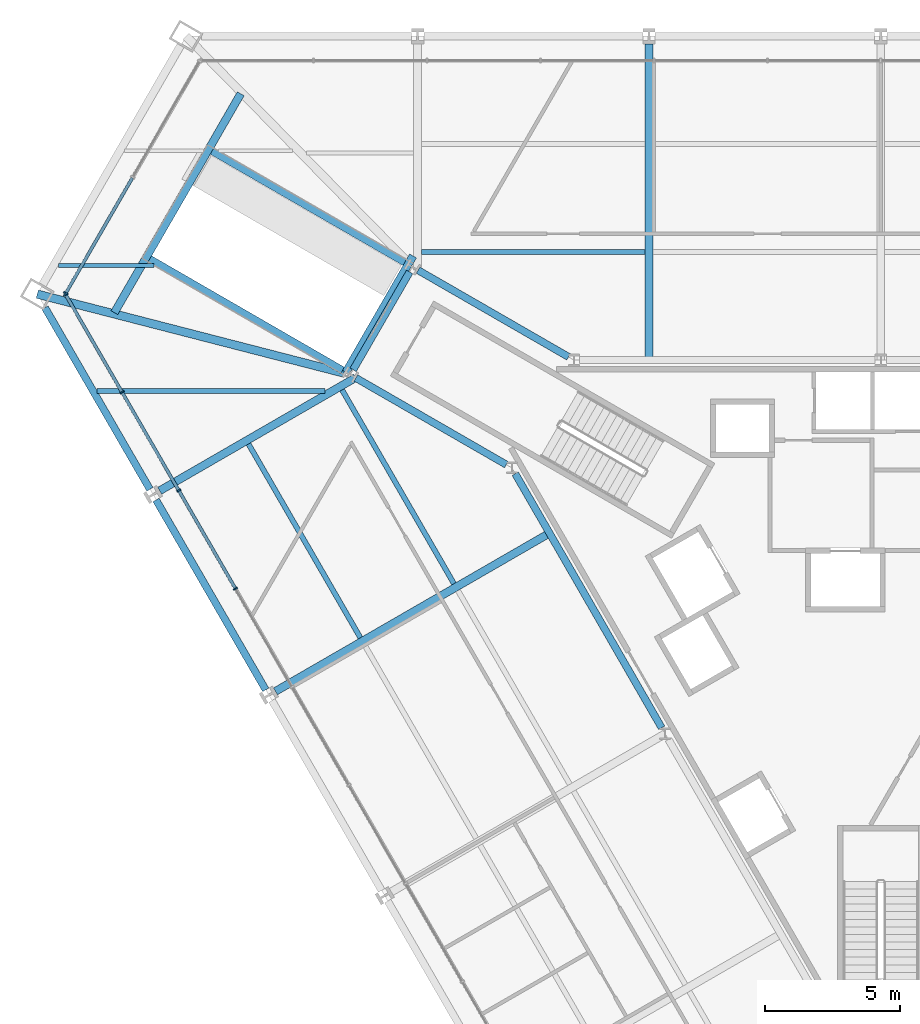
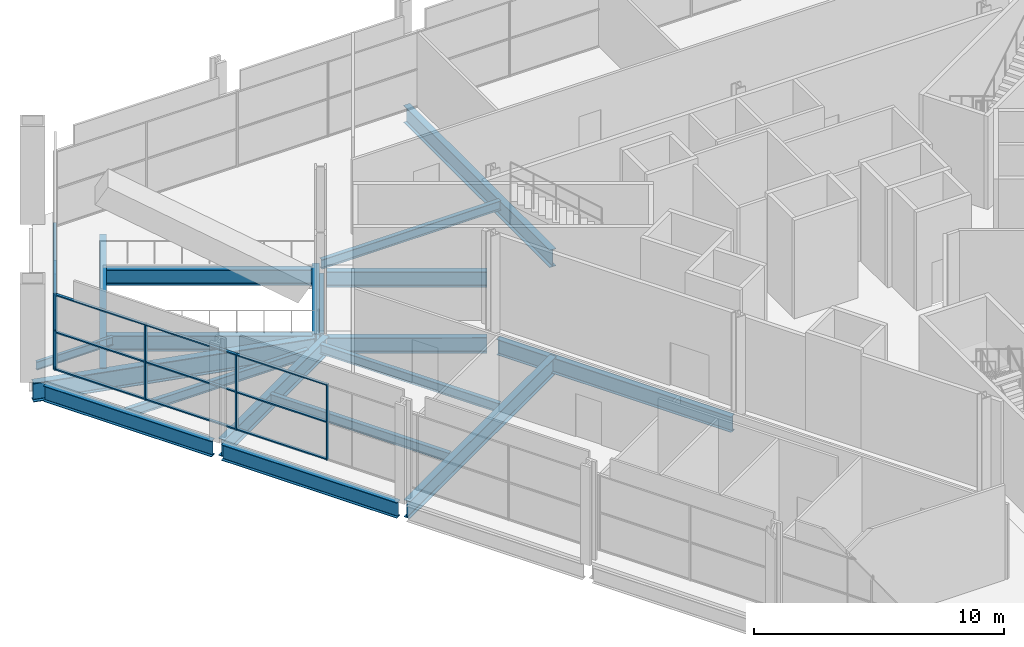
# One storey, part 6 of 18: 19 beams, 17 members, 2 elements without a shape of their own.
"""IFC4 building model written with IfcOpenShell, lengths in metres."""

from ifc_helpers import new_model, si_unit, direction, frame, origin, origin_2d, place, context, subcontext, project, spatial, rectangle, i_section, extrude, material, layer, layer_set, material_profile, profile_set, type_object, element, aggregate, save


model = new_model("IFC4")

# Units and contexts
model_context = context("Model", 3, precision=1e-05, world=origin(), true_north=direction((0.0, 1.0)))
body_context = subcontext(model_context, "Body", "Model", "MODEL_VIEW")
ifc_project = project(units=[si_unit("LENGTHUNIT", "METRE"), si_unit("AREAUNIT", "SQUARE_METRE"), si_unit("VOLUMEUNIT", "CUBIC_METRE"), si_unit("PLANEANGLEUNIT", "RADIAN"), si_unit("MASSUNIT", "GRAM", prefix="KILO")], contexts=[model_context])

# Site, building, storey
site_placement = place(None, origin())
site = spatial("IfcSite", under=ifc_project, at=site_placement, CompositionType="ELEMENT")
building_placement = place(site_placement, origin())
building = spatial("IfcBuilding", under=site, at=building_placement, Name="Verrane Prism Tower", CompositionType="ELEMENT")
storey_placement = place(building_placement, frame((0.0, 0.0, 22.39990234375)))
storey = spatial("IfcBuildingStorey", under=building, at=storey_placement, Name="L03", CompositionType="ELEMENT", Elevation=22.39990234375)

# Curtain wall, member
ifc_material_1 = material(Name="Aluminium and glass curtain wall", Category="aluminium")
ifc_layer = layer(ifc_material_1, 0.199951171875)
ifc_layer_set = layer_set([ifc_layer], Name="CWB-1 retail curtain wall")
curtain_wall_type = type_object("IfcCurtainWallType", Name="CWB-1 retail curtain wall", PredefinedType="NOTDEFINED", material=ifc_layer_set)
curtain_wall_1_placement = place(storey_placement, origin())
curtain_wall_1 = element("IfcCurtainWall", 1, at=curtain_wall_1_placement, inside=storey, type_object=curtain_wall_type, Name="Retail curtain wall L03 3", PredefinedType="NOTDEFINED")
ifc_material_2 = material(Name="Aluminium", Category="aluminium")
ifc_material_profile_1 = material_profile(ifc_material_2, rectangle(XDim=0.159912109375, YDim=0.06005859375, at=origin_2d()), Name="CWB-M 60x160 mullion")
ifc_profile_set_1 = profile_set([ifc_material_profile_1], Name="Aluminium")
member_type_1 = type_object("IfcMemberType", Name="CWB-M 60x160 mullion", PredefinedType="MULLION", material=ifc_profile_set_1)
member_1_placement = place(storey_placement, frame((-30.11328125, 11.669677734375, 0.0), z_axis=(0.0, 0.0, 1.0), x_axis=(0.866025871, -0.499999190758, 0.0)))
member_1 = element("IfcMember", 2, at=member_1_placement, type_object=member_type_1, Name="CWB33 mullion 3", PredefinedType="MULLION", context=body_context, shape_type="SweptSolid", body=[
    extrude(rectangle(XDim=0.159912109375, YDim=0.06005859375, at=origin_2d()), origin(), (0.0, 0.0, 1.0), 3.690185546875),
])

# Curtain wall, members
curtain_wall_2_placement = place(storey_placement, origin())
curtain_wall_2 = element("IfcCurtainWall", 3, at=curtain_wall_2_placement, inside=storey, type_object=curtain_wall_type, Name="Retail curtain wall L03 4", PredefinedType="NOTDEFINED")
member_2_placement = place(storey_placement, frame((-30.11328125, 11.61767578125, 0.0), z_axis=(0.0, 0.0, 1.0), x_axis=(0.866025335097, 0.50000011897, 0.0)))
member_2 = element("IfcMember", 4, at=member_2_placement, type_object=member_type_1, Name="CWB34 mullion 1", PredefinedType="MULLION", context=body_context, shape_type="SweptSolid", body=[
    extrude(rectangle(XDim=0.159912109375, YDim=0.06005859375, at=origin_2d()), origin(), (0.0, 0.0, 1.0), 3.690185546875),
])
member_3_placement = place(storey_placement, frame((-28.03271484375, 8.013916015625, 0.0), z_axis=(0.0, 0.0, 1.0), x_axis=(0.866025335097, 0.50000011897, 0.0)))
member_3 = element("IfcMember", 5, at=member_3_placement, type_object=member_type_1, Name="CWB34 mullion 2", PredefinedType="MULLION", context=body_context, shape_type="SweptSolid", body=[
    extrude(rectangle(XDim=0.159912109375, YDim=0.06005859375, at=origin_2d()), origin(), (0.0, 0.0, 1.0), 3.690185546875),
])
member_4_placement = place(storey_placement, frame((-25.93701171875, 4.384033203125, 0.0), z_axis=(0.0, 0.0, 1.0), x_axis=(0.866025335097, 0.50000011897, 0.0)))
member_4 = element("IfcMember", 6, at=member_4_placement, type_object=member_type_1, Name="CWB34 mullion 3", PredefinedType="MULLION", context=body_context, shape_type="SweptSolid", body=[
    extrude(rectangle(XDim=0.159912109375, YDim=0.06005859375, at=origin_2d()), origin(), (0.0, 0.0, 1.0), 3.690185546875),
])
member_5_placement = place(storey_placement, frame((-23.84130859375, 0.75439453125, 0.0), z_axis=(0.0, 0.0, 1.0), x_axis=(0.866025335097, 0.50000011897, 0.0)))
member_5 = element("IfcMember", 7, at=member_5_placement, type_object=member_type_1, Name="CWB34 mullion 4", PredefinedType="MULLION", context=body_context, shape_type="SweptSolid", body=[
    extrude(rectangle(XDim=0.159912109375, YDim=0.06005859375, at=origin_2d()), origin(), (0.0, 0.0, 1.0), 3.690185546875),
])

# Member
ifc_material_3 = material(Name="Aluminium", Category="aluminium")
ifc_material_profile_2 = material_profile(ifc_material_3, rectangle(XDim=0.1201171875, YDim=0.06005859375, at=origin_2d()), Name="CWB-T 60x120 transom")
ifc_profile_set_2 = profile_set([ifc_material_profile_2], Name="Aluminium")
member_type_2 = type_object("IfcMemberType", Name="CWB-T 60x120 transom", PredefinedType="USERDEFINED", material=ifc_profile_set_2)
member_6_placement = place(storey_placement, frame((-27.653076171875, 15.930908203125, 0.030029296875), z_axis=(-0.500004774777, -0.866022647048, 0.0), x_axis=(0.866022647048, -0.500004774777, 0.0)))
member_6 = element("IfcMember", 8, at=member_6_placement, type_object=member_type_2, Name="CWB33 transom 2.1", ObjectType="TRANSOM", PredefinedType="USERDEFINED", context=body_context, shape_type="SweptSolid", body=[
    extrude(rectangle(XDim=0.1201171875, YDim=0.06005859375, at=origin_2d()), origin(), (0.0, 0.0, 1.0), 4.890625),
])

member_7_placement = place(storey_placement, frame((-27.653076171875, 15.930908203125, 1.84521484375), z_axis=(-0.500004774777, -0.866022647048, 0.0), x_axis=(0.866022647048, -0.500004774777, 0.0)))
member_7 = element("IfcMember", 9, at=member_7_placement, type_object=member_type_2, Name="CWB33 transom 2.2", ObjectType="TRANSOM", PredefinedType="USERDEFINED", context=body_context, shape_type="SweptSolid", body=[
    extrude(rectangle(XDim=0.1201171875, YDim=0.06005859375, at=origin_2d()), origin(), (0.0, 0.0, 1.0), 4.890625),
])

member_8_placement = place(storey_placement, frame((-27.653076171875, 15.930908203125, 3.66015625), z_axis=(-0.500004774777, -0.866022647048, 0.0), x_axis=(0.866022647048, -0.500004774777, 0.0)))
member_8 = element("IfcMember", 10, at=member_8_placement, type_object=member_type_2, Name="CWB33 transom 2.3", ObjectType="TRANSOM", PredefinedType="USERDEFINED", context=body_context, shape_type="SweptSolid", body=[
    extrude(rectangle(XDim=0.1201171875, YDim=0.06005859375, at=origin_2d()), origin(), (0.0, 0.0, 1.0), 4.890625),
])

aggregate(curtain_wall_1, [member_1, member_6, member_7, member_8])

member_9_placement = place(storey_placement, frame((-30.098388671875, 11.591796875, 0.030029296875), z_axis=(0.500005845305, -0.86602202897, 0.0), x_axis=(0.86602202897, 0.500005845305, 0.0)))
member_9 = element("IfcMember", 11, at=member_9_placement, type_object=member_type_2, Name="CWB34 transom 1.1", ObjectType="TRANSOM", PredefinedType="USERDEFINED", context=body_context, shape_type="SweptSolid", body=[
    extrude(rectangle(XDim=0.1201171875, YDim=0.06005859375, at=origin_2d()), origin(), (0.0, 0.0, 1.0), 4.1015625),
])

member_10_placement = place(storey_placement, frame((-30.098388671875, 11.591796875, 1.84521484375), z_axis=(0.500005845305, -0.86602202897, 0.0), x_axis=(0.86602202897, 0.500005845305, 0.0)))
member_10 = element("IfcMember", 12, at=member_10_placement, type_object=member_type_2, Name="CWB34 transom 1.2", ObjectType="TRANSOM", PredefinedType="USERDEFINED", context=body_context, shape_type="SweptSolid", body=[
    extrude(rectangle(XDim=0.1201171875, YDim=0.06005859375, at=origin_2d()), origin(), (0.0, 0.0, 1.0), 4.1015625),
])

member_11_placement = place(storey_placement, frame((-30.098388671875, 11.591796875, 3.66015625), z_axis=(0.500005845305, -0.86602202897, 0.0), x_axis=(0.86602202897, 0.500005845305, 0.0)))
member_11 = element("IfcMember", 13, at=member_11_placement, type_object=member_type_2, Name="CWB34 transom 1.3", ObjectType="TRANSOM", PredefinedType="USERDEFINED", context=body_context, shape_type="SweptSolid", body=[
    extrude(rectangle(XDim=0.1201171875, YDim=0.06005859375, at=origin_2d()), origin(), (0.0, 0.0, 1.0), 4.1015625),
])

member_12_placement = place(storey_placement, frame((-28.017578125, 7.988037109375, 0.030029296875), z_axis=(0.499996977546, -0.866027148792, 0.0), x_axis=(0.866027148792, 0.499996977546, 0.0)))
member_12 = element("IfcMember", 14, at=member_12_placement, type_object=member_type_2, Name="CWB34 transom 2.1", ObjectType="TRANSOM", PredefinedType="USERDEFINED", context=body_context, shape_type="SweptSolid", body=[
    extrude(rectangle(XDim=0.1201171875, YDim=0.06005859375, at=origin_2d()), origin(), (0.0, 0.0, 1.0), 4.13134765625),
])

member_13_placement = place(storey_placement, frame((-28.017578125, 7.988037109375, 1.84521484375), z_axis=(0.499996977546, -0.866027148792, 0.0), x_axis=(0.866027148792, 0.499996977546, 0.0)))
member_13 = element("IfcMember", 15, at=member_13_placement, type_object=member_type_2, Name="CWB34 transom 2.2", ObjectType="TRANSOM", PredefinedType="USERDEFINED", context=body_context, shape_type="SweptSolid", body=[
    extrude(rectangle(XDim=0.1201171875, YDim=0.06005859375, at=origin_2d()), origin(), (0.0, 0.0, 1.0), 4.13134765625),
])

member_14_placement = place(storey_placement, frame((-28.017578125, 7.988037109375, 3.66015625), z_axis=(0.499996977546, -0.866027148792, 0.0), x_axis=(0.866027148792, 0.499996977546, 0.0)))
member_14 = element("IfcMember", 16, at=member_14_placement, type_object=member_type_2, Name="CWB34 transom 2.3", ObjectType="TRANSOM", PredefinedType="USERDEFINED", context=body_context, shape_type="SweptSolid", body=[
    extrude(rectangle(XDim=0.1201171875, YDim=0.06005859375, at=origin_2d()), origin(), (0.0, 0.0, 1.0), 4.13134765625),
])

member_15_placement = place(storey_placement, frame((-25.921875, 4.358154296875, 0.030029296875), z_axis=(0.499996977546, -0.866027148792, 0.0), x_axis=(0.866027148792, 0.499996977546, 0.0)))
member_15 = element("IfcMember", 17, at=member_15_placement, type_object=member_type_2, Name="CWB34 transom 3.1", ObjectType="TRANSOM", PredefinedType="USERDEFINED", context=body_context, shape_type="SweptSolid", body=[
    extrude(rectangle(XDim=0.1201171875, YDim=0.06005859375, at=origin_2d()), origin(), (0.0, 0.0, 1.0), 4.13134765625),
])

member_16_placement = place(storey_placement, frame((-25.921875, 4.358154296875, 1.84521484375), z_axis=(0.499996977546, -0.866027148792, 0.0), x_axis=(0.866027148792, 0.499996977546, 0.0)))
member_16 = element("IfcMember", 18, at=member_16_placement, type_object=member_type_2, Name="CWB34 transom 3.2", ObjectType="TRANSOM", PredefinedType="USERDEFINED", context=body_context, shape_type="SweptSolid", body=[
    extrude(rectangle(XDim=0.1201171875, YDim=0.06005859375, at=origin_2d()), origin(), (0.0, 0.0, 1.0), 4.13134765625),
])

member_17_placement = place(storey_placement, frame((-25.921875, 4.358154296875, 3.66015625), z_axis=(0.499996977546, -0.866027148792, 0.0), x_axis=(0.866027148792, 0.499996977546, 0.0)))
member_17 = element("IfcMember", 19, at=member_17_placement, type_object=member_type_2, Name="CWB34 transom 3.3", ObjectType="TRANSOM", PredefinedType="USERDEFINED", context=body_context, shape_type="SweptSolid", body=[
    extrude(rectangle(XDim=0.1201171875, YDim=0.06005859375, at=origin_2d()), origin(), (0.0, 0.0, 1.0), 4.13134765625),
])

aggregate(curtain_wall_2, [member_2, member_3, member_4, member_5, member_9, member_10, member_11, member_12, member_13, member_14, member_15, member_16, member_17])

# Beams
ifc_material_4 = material(Name="Steel A992", Category="steel")
ifc_material_profile_3 = material_profile(ifc_material_4, i_section(OverallWidth=0.2666015625, OverallDepth=0.76708984375, WebThickness=0.014892578125, FlangeThickness=0.023681640625, FilletRadius=0.0166015625, at=origin_2d()), Name="W30x124")
ifc_profile_set_3 = profile_set([ifc_material_profile_3], Name="Steel A992")
beam_type_1 = type_object("IfcBeamType", Name="Core ring girder W30x124", PredefinedType="BEAM", material=ifc_profile_set_3)
beam_1_placement = place(storey_placement, frame((-11.53564453125, 9.318603515625, -0.63330078125), z_axis=(-0.866455356291, 0.499254559873, 0.0), x_axis=(-0.499254559873, -0.866455356291, 0.0)))
element("IfcBeam", 20, at=beam_1_placement, inside=storey, type_object=beam_type_1, Name="Core ring girder L03", PredefinedType="BEAM", context=body_context, shape_type="SweptSolid", body=[
    extrude(i_section(OverallWidth=0.2666015625, OverallDepth=0.76708984375, WebThickness=0.014892578125, FlangeThickness=0.023681640625, FilletRadius=0.0166015625, at=origin_2d()), origin(), (0.0, 0.0, 1.0), 6.415283203125),
])
beam_2_placement = place(storey_placement, frame((-17.406005859375, 12.456298828125, -0.63330078125), z_axis=(-0.500367275473, -0.865813253326, 0.0), x_axis=(0.865813253326, -0.500367275473, 0.0)))
element("IfcBeam", 21, at=beam_2_placement, inside=storey, type_object=beam_type_1, Name="Core ring girder L03", PredefinedType="BEAM", context=body_context, shape_type="SweptSolid", body=[
    extrude(i_section(OverallWidth=0.2666015625, OverallDepth=0.76708984375, WebThickness=0.014892578125, FlangeThickness=0.023681640625, FilletRadius=0.0166015625, at=origin_2d()), origin(), (0.0, 0.0, 1.0), 4.172607421875),
])
beam_3_placement = place(storey_placement, frame((-19.394287109375, 8.54150390625, -0.63330078125), z_axis=(0.866455356291, -0.499254559873, 0.0), x_axis=(0.499254559873, 0.866455356291, 0.0)))
element("IfcBeam", 22, at=beam_3_placement, inside=storey, type_object=beam_type_1, Name="Core ring girder L03", PredefinedType="BEAM", context=body_context, shape_type="SweptSolid", body=[
    extrude(i_section(OverallWidth=0.2666015625, OverallDepth=0.76708984375, WebThickness=0.014892578125, FlangeThickness=0.023681640625, FilletRadius=0.0166015625, at=origin_2d()), origin(), (0.0, 0.0, 1.0), 6.415283203125),
])
beam_4_placement = place(storey_placement, frame((-13.5048828125, 5.002685546875, -0.63330078125), z_axis=(0.499373178085, -0.866386997253, 0.0), x_axis=(0.866386997253, 0.499373178085, 0.0)))
element("IfcBeam", 23, at=beam_4_placement, inside=storey, type_object=beam_type_1, Name="Core ring girder L03", PredefinedType="BEAM", context=body_context, shape_type="SweptSolid", body=[
    extrude(i_section(OverallWidth=0.2666015625, OverallDepth=0.76708984375, WebThickness=0.014892578125, FlangeThickness=0.023681640625, FilletRadius=0.0166015625, at=origin_2d()), origin(), (0.0, 0.0, 1.0), 10.8330078125),
])
ifc_material_5 = material(Name="Steel A992", Category="steel")
ifc_material_profile_4 = material_profile(ifc_material_5, i_section(OverallWidth=0.307373046875, OverallDepth=0.927001953125, WebThickness=0.01953125, FlangeThickness=0.031982421875, FilletRadius=0.01904296875, at=origin_2d()), Name="W36x194")
ifc_profile_set_4 = profile_set([ifc_material_profile_4], Name="Steel A992")
beam_type_2 = type_object("IfcBeamType", Name="Corner girder W36x194", PredefinedType="BEAM", material=ifc_profile_set_4)
beam_5_placement = place(storey_placement, frame((-31.16455078125, 11.638671875, -0.68359375), z_axis=(0.968392733058, -0.249430380188, 0.0), x_axis=(0.249430380188, 0.968392733058, 0.0)))
element("IfcBeam", 24, at=beam_5_placement, inside=storey, type_object=beam_type_2, Name="Corner girder L03", PredefinedType="BEAM", context=body_context, shape_type="SweptSolid", body=[
    extrude(i_section(OverallWidth=0.307373046875, OverallDepth=0.927001953125, WebThickness=0.01953125, FlangeThickness=0.031982421875, FilletRadius=0.01904296875, at=origin_2d()), origin(), (0.0, 0.0, 1.0), 11.695556640625),
])
ifc_material_6 = material(Name="Steel A992", Category="steel")
ifc_material_profile_5 = material_profile(ifc_material_6, i_section(OverallWidth=0.140380859375, OverallDepth=0.40380859375, WebThickness=0.007080078125, FlangeThickness=0.01123046875, FilletRadius=0.01025390625, at=origin_2d()), Name="W16x31")
ifc_profile_set_5 = profile_set([ifc_material_profile_5], Name="Steel A992")
beam_type_3 = type_object("IfcBeamType", Name="Floor beam W16x31", PredefinedType="BEAM", material=ifc_profile_set_5)
beam_6_placement = place(storey_placement, frame((-30.3896484375, 12.699951171875, -0.36181640625), z_axis=(1.0, 0.0, 0.0), x_axis=(0.0, 1.0, 0.0)))
element("IfcBeam", 25, at=beam_6_placement, inside=storey, type_object=beam_type_3, Name="Floor beam L03", PredefinedType="BEAM", context=body_context, shape_type="SweptSolid", body=[
    extrude(i_section(OverallWidth=0.140380859375, OverallDepth=0.40380859375, WebThickness=0.007080078125, FlangeThickness=0.01123046875, FilletRadius=0.01025390625, at=origin_2d()), origin(), (0.0, 0.0, 1.0), 3.529052734375),
])
ifc_material_7 = material(Name="Steel A992", Category="steel")
ifc_material_profile_6 = material_profile(ifc_material_7, i_section(OverallWidth=0.1904296875, OverallDepth=0.457275390625, WebThickness=0.009033203125, FlangeThickness=0.014404296875, FilletRadius=0.01025390625, at=origin_2d()), Name="W18x50")
ifc_profile_set_6 = profile_set([ifc_material_profile_6], Name="Steel A992")
beam_type_4 = type_object("IfcBeamType", Name="Floor beam W18x50", PredefinedType="BEAM", material=ifc_profile_set_6)
beam_7_placement = place(storey_placement, frame((-16.964111328125, 13.18994140625, -0.388427734375), z_axis=(1.0, 0.0, 0.0), x_axis=(0.0, 1.0, 0.0)))
element("IfcBeam", 26, at=beam_7_placement, inside=storey, type_object=beam_type_4, Name="Floor beam L03", PredefinedType="BEAM", context=body_context, shape_type="SweptSolid", body=[
    extrude(i_section(OverallWidth=0.1904296875, OverallDepth=0.457275390625, WebThickness=0.009033203125, FlangeThickness=0.014404296875, FilletRadius=0.01025390625, at=origin_2d()), origin(), (0.0, 0.0, 1.0), 8.258056640625),
])
beam_8_placement = place(storey_placement, frame((-28.950927734375, 8.06494140625, -0.388427734375), z_axis=(1.0, 0.0, 0.0), x_axis=(0.0, 1.0, 0.0)))
element("IfcBeam", 27, at=beam_8_placement, inside=storey, type_object=beam_type_4, Name="Floor beam L03", PredefinedType="BEAM", context=body_context, shape_type="SweptSolid", body=[
    extrude(i_section(OverallWidth=0.1904296875, OverallDepth=0.457275390625, WebThickness=0.009033203125, FlangeThickness=0.014404296875, FilletRadius=0.01025390625, at=origin_2d()), origin(), (0.0, 0.0, 1.0), 8.4091796875),
])
beam_9_placement = place(storey_placement, frame((-15.769287109375, 0.93994140625, -0.388427734375), z_axis=(-0.500018214608, 0.86601488732, 0.0), x_axis=(-0.86601488732, -0.500018214608, 0.0)))
element("IfcBeam", 28, at=beam_9_placement, inside=storey, type_object=beam_type_4, Name="Floor beam L03", PredefinedType="BEAM", context=body_context, shape_type="SweptSolid", body=[
    extrude(i_section(OverallWidth=0.1904296875, OverallDepth=0.457275390625, WebThickness=0.009033203125, FlangeThickness=0.014404296875, FilletRadius=0.01025390625, at=origin_2d()), origin(), (0.0, 0.0, 1.0), 8.264892578125),
])
beam_10_placement = place(storey_placement, frame((-19.226806640625, -1.05712890625, -0.388427734375), z_axis=(-0.500005423512, 0.866022272496, 0.0), x_axis=(-0.866022272496, -0.500005423512, 0.0)))
element("IfcBeam", 29, at=beam_10_placement, inside=storey, type_object=beam_type_4, Name="Floor beam L03", PredefinedType="BEAM", context=body_context, shape_type="SweptSolid", body=[
    extrude(i_section(OverallWidth=0.1904296875, OverallDepth=0.457275390625, WebThickness=0.009033203125, FlangeThickness=0.014404296875, FilletRadius=0.01025390625, at=origin_2d()), origin(), (0.0, 0.0, 1.0), 8.26513671875),
])
ifc_material_8 = material(Name="Steel A992", Category="steel")
ifc_material_profile_7 = material_profile(ifc_material_8, i_section(OverallWidth=0.2919921875, OverallDepth=0.845703125, WebThickness=0.015380859375, FlangeThickness=0.0244140625, FilletRadius=0.017822265625, at=origin_2d()), Name="W33x141")
ifc_profile_set_7 = profile_set([ifc_material_profile_7], Name="Steel A992")
beam_type_5 = type_object("IfcBeamType", Name="Radial girder W33x141", PredefinedType="BEAM", material=ifc_profile_set_7)
beam_11_placement = place(storey_placement, frame((-8.56005859375, 20.885498046875, -0.642822265625), z_axis=(0.0, -1.0, 0.0), x_axis=(1.0, 0.0, 0.0)))
element("IfcBeam", 30, at=beam_11_placement, inside=storey, type_object=beam_type_5, Name="Radial girder L03", PredefinedType="BEAM", context=body_context, shape_type="SweptSolid", body=[
    extrude(i_section(OverallWidth=0.2919921875, OverallDepth=0.845703125, WebThickness=0.015380859375, FlangeThickness=0.0244140625, FilletRadius=0.017822265625, at=origin_2d()), origin(), (0.0, 0.0, 1.0), 11.685546875),
])
beam_12_placement = place(storey_placement, frame((-26.6435546875, 4.372314453125, -0.642822265625), z_axis=(0.866029865125, 0.499992272651, 0.0), x_axis=(-0.499992272651, 0.866029865125, 0.0)))
element("IfcBeam", 31, at=beam_12_placement, inside=storey, type_object=beam_type_5, Name="Radial girder L03", PredefinedType="BEAM", context=body_context, shape_type="SweptSolid", body=[
    extrude(i_section(OverallWidth=0.2919921875, OverallDepth=0.845703125, WebThickness=0.015380859375, FlangeThickness=0.0244140625, FilletRadius=0.017822265625, at=origin_2d()), origin(), (0.0, 0.0, 1.0), 8.354736328125),
])
beam_13_placement = place(storey_placement, frame((-22.363525390625, -3.037841796875, -0.642822265625), z_axis=(0.86602143351, 0.500006876654, 0.0), x_axis=(-0.500006876654, 0.86602143351, 0.0)))
element("IfcBeam", 32, at=beam_13_placement, inside=storey, type_object=beam_type_5, Name="Radial girder L03", PredefinedType="BEAM", context=body_context, shape_type="SweptSolid", body=[
    extrude(i_section(OverallWidth=0.2919921875, OverallDepth=0.845703125, WebThickness=0.015380859375, FlangeThickness=0.0244140625, FilletRadius=0.017822265625, at=origin_2d()), origin(), (0.0, 0.0, 1.0), 11.690185546875),
])
ifc_material_9 = material(Name="Steel A992", Category="steel")
ifc_material_profile_8 = material_profile(ifc_material_9, i_section(OverallWidth=0.2666015625, OverallDepth=0.76708984375, WebThickness=0.014892578125, FlangeThickness=0.023681640625, FilletRadius=0.0166015625, at=origin_2d()), Name="W30x124")
ifc_profile_set_8 = profile_set([ifc_material_profile_8], Name="Steel A992")
beam_type_6 = type_object("IfcBeamType", Name="Slab edge girder W30x124", PredefinedType="BEAM", material=ifc_profile_set_8)
beam_14_placement = place(storey_placement, frame((-17.58203125, 12.806884765625, -0.54345703125), z_axis=(-0.866034923029, 0.499983511822, 0.0), x_axis=(-0.499983511822, -0.866034923029, 0.0)))
element("IfcBeam", 33, at=beam_14_placement, inside=storey, type_object=beam_type_6, Name="Slab edge girder L03", PredefinedType="BEAM", context=body_context, shape_type="SweptSolid", body=[
    extrude(i_section(OverallWidth=0.2666015625, OverallDepth=0.76708984375, WebThickness=0.014892578125, FlangeThickness=0.023681640625, FilletRadius=0.0166015625, at=origin_2d()), origin(), (0.0, 0.0, 1.0), 8.230224609375),
])
beam_15_placement = place(storey_placement, frame((-27.009521484375, 12.93798828125, -0.54345703125), z_axis=(0.86602750728, -0.499996356621, 0.0), x_axis=(0.499996356621, 0.86602750728, 0.0)))
element("IfcBeam", 34, at=beam_15_placement, inside=storey, type_object=beam_type_6, Name="Slab edge girder L03", PredefinedType="BEAM", context=body_context, shape_type="SweptSolid", body=[
    extrude(i_section(OverallWidth=0.2666015625, OverallDepth=0.76708984375, WebThickness=0.014892578125, FlangeThickness=0.023681640625, FilletRadius=0.0166015625, at=origin_2d()), origin(), (0.0, 0.0, 1.0), 8.22998046875),
])
ifc_material_10 = material(Name="Steel A992", Category="steel")
ifc_material_profile_9 = material_profile(ifc_material_10, i_section(OverallWidth=0.2919921875, OverallDepth=0.845703125, WebThickness=0.015380859375, FlangeThickness=0.0244140625, FilletRadius=0.017822265625, at=origin_2d()), Name="W33x141")
ifc_profile_set_9 = profile_set([ifc_material_profile_9], Name="Steel A992")
beam_type_7 = type_object("IfcBeamType", Name="Slab edge girder W33x141", PredefinedType="BEAM", material=ifc_profile_set_9)
beam_16_placement = place(storey_placement, frame((-23.64794921875, 19.04052734375, -0.582763671875), z_axis=(-0.500003119808, -0.866023602555, 0.0), x_axis=(0.866023602555, -0.500003119808, 0.0)))
element("IfcBeam", 35, at=beam_16_placement, inside=storey, type_object=beam_type_7, Name="Slab edge girder L03", PredefinedType="BEAM", context=body_context, shape_type="SweptSolid", body=[
    extrude(i_section(OverallWidth=0.2919921875, OverallDepth=0.845703125, WebThickness=0.015380859375, FlangeThickness=0.0244140625, FilletRadius=0.017822265625, at=origin_2d()), origin(), (0.0, 0.0, 1.0), 9.3369140625),
])
beam_17_placement = place(storey_placement, frame((-19.761962890625, 8.75146484375, -0.582763671875), z_axis=(0.500002137087, 0.866024169933, 0.0), x_axis=(-0.866024169933, 0.500002137087, 0.0)))
element("IfcBeam", 36, at=beam_17_placement, inside=storey, type_object=beam_type_7, Name="Slab edge girder L03", PredefinedType="BEAM", context=body_context, shape_type="SweptSolid", body=[
    extrude(i_section(OverallWidth=0.2919921875, OverallDepth=0.845703125, WebThickness=0.015380859375, FlangeThickness=0.0244140625, FilletRadius=0.017822265625, at=origin_2d()), origin(), (0.0, 0.0, 1.0), 4.9619140625),
])
ifc_material_11 = material(Name="Steel A992", Category="steel")
ifc_material_profile_10 = material_profile(ifc_material_11, i_section(OverallWidth=0.2666015625, OverallDepth=0.76708984375, WebThickness=0.014892578125, FlangeThickness=0.023681640625, FilletRadius=0.0166015625, at=origin_2d()), Name="W30x124")
ifc_profile_set_10 = profile_set([ifc_material_profile_10], Name="Steel A992")
beam_type_8 = type_object("IfcBeamType", Name="Spandrel beam W30x124", PredefinedType="SPANDREL", material=ifc_profile_set_10)
beam_18_placement = place(storey_placement, frame((-30.88134765625, 11.14013671875, -0.54345703125), z_axis=(0.500179482495, -0.865921754716, 0.0), x_axis=(0.865921754716, 0.500179482495, 0.0)))
element("IfcBeam", 37, at=beam_18_placement, inside=storey, type_object=beam_type_8, Name="Spandrel beam L03", PredefinedType="SPANDREL", context=body_context, shape_type="SweptSolid", body=[
    extrude(i_section(OverallWidth=0.2666015625, OverallDepth=0.76708984375, WebThickness=0.014892578125, FlangeThickness=0.023681640625, FilletRadius=0.0166015625, at=origin_2d()), origin(), (0.0, 0.0, 1.0), 7.752685546875),
])
beam_19_placement = place(storey_placement, frame((-26.7763671875, 4.033203125, -0.54345703125), z_axis=(0.500170167531, -0.865927135221, 0.0), x_axis=(0.865927135221, 0.500170167531, 0.0)))
element("IfcBeam", 38, at=beam_19_placement, inside=storey, type_object=beam_type_8, Name="Spandrel beam L03", PredefinedType="SPANDREL", context=body_context, shape_type="SweptSolid", body=[
    extrude(i_section(OverallWidth=0.2666015625, OverallDepth=0.76708984375, WebThickness=0.014892578125, FlangeThickness=0.023681640625, FilletRadius=0.0166015625, at=origin_2d()), origin(), (0.0, 0.0, 1.0), 8.102783203125),
])

save(model, "model.ifc")
